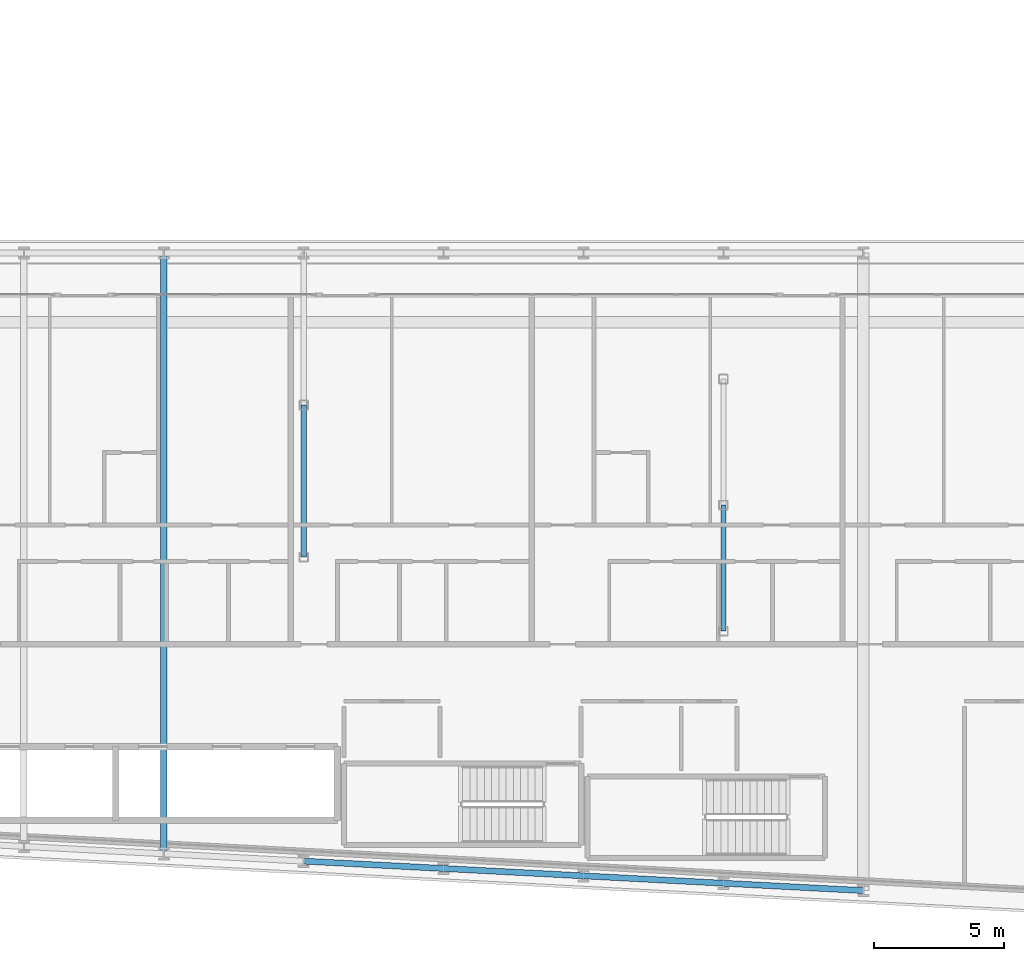
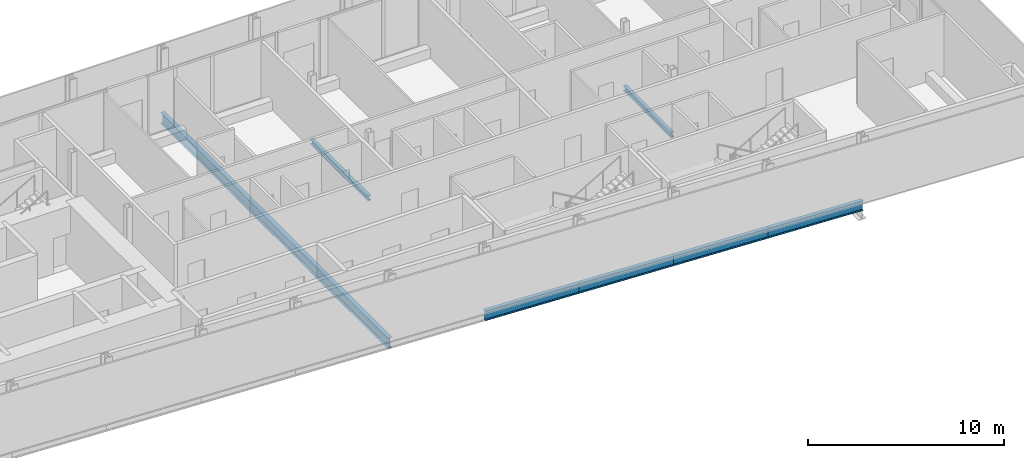
# One storey, part 5 of 27: 7 beams.
"""IFC4 building model written with IfcOpenShell, lengths in metres."""

from ifc_helpers import new_model, si_unit, direction, frame, origin, origin_2d, place, context, subcontext, project, spatial, i_section, extrude, material, material_profile, profile_set, type_object, element, save


model = new_model("IFC4")

# Units and contexts
model_context = context("Model", 3, precision=1e-05, world=origin(), true_north=direction((0.0, 1.0)))
body_context = subcontext(model_context, "Body", "Model", "MODEL_VIEW")
ifc_project = project(units=[si_unit("LENGTHUNIT", "METRE"), si_unit("AREAUNIT", "SQUARE_METRE"), si_unit("VOLUMEUNIT", "CUBIC_METRE"), si_unit("PLANEANGLEUNIT", "RADIAN"), si_unit("MASSUNIT", "GRAM", prefix="KILO")], contexts=[model_context])

# Site, building, storey
site_placement = place(None, origin())
site = spatial("IfcSite", under=ifc_project, at=site_placement, CompositionType="ELEMENT")
building_placement = place(site_placement, origin())
building = spatial("IfcBuilding", under=site, at=building_placement, Name="Kheshtan School and Residences Tower", CompositionType="ELEMENT")
storey_placement = place(building_placement, frame((0.0, 0.0, 53.89990234375)))
storey = spatial("IfcBuildingStorey", under=building, at=storey_placement, Name="L12", CompositionType="ELEMENT", Elevation=53.89990234375)

# Beams
ifc_material = material(Name="Steel ASTM A992 Grade 50", Category="steel")
ifc_material_profile_1 = material_profile(ifc_material, i_section(OverallWidth=0.202880859375, OverallDepth=0.302978515625, WebThickness=0.007568359375, FlangeThickness=0.01318359375, FilletRadius=0.009033203125, at=origin_2d()), Name="W310x60")
ifc_profile_set_1 = profile_set([ifc_material_profile_1], Name="Steel ASTM A992 Grade 50")
beam_type_1 = type_object("IfcBeamType", Name="Beam FB1 W310x60 ASTM A992 Grade 50", PredefinedType="BEAM", material=ifc_profile_set_1)
beam_1_placement = place(storey_placement, frame((85.39990234375, 31.0048828125, -0.301513671875), z_axis=(0.0, 1.0, 0.0), x_axis=(-1.0, 0.0, 0.0)))
element("IfcBeam", 1, at=beam_1_placement, inside=storey, type_object=beam_type_1, Name="Floor beam IC", PredefinedType="BEAM", context=body_context, shape_type="SweptSolid", body=[
    extrude(i_section(OverallWidth=0.202880859375, OverallDepth=0.302978515625, WebThickness=0.007568359375, FlangeThickness=0.01318359375, FilletRadius=0.009033203125, at=origin_2d()), origin(), (0.0, 0.0, 1.0), 4.865234375),
])
beam_2_placement = place(storey_placement, frame((69.199951171875, 33.863037109375, -0.301513671875), z_axis=(0.0, 1.0, 0.0), x_axis=(-1.0, 0.0, 0.0)))
element("IfcBeam", 2, at=beam_2_placement, inside=storey, type_object=beam_type_1, Name="Floor beam IC", PredefinedType="BEAM", context=body_context, shape_type="SweptSolid", body=[
    extrude(i_section(OverallWidth=0.202880859375, OverallDepth=0.302978515625, WebThickness=0.007568359375, FlangeThickness=0.01318359375, FilletRadius=0.009033203125, at=origin_2d()), origin(), (0.0, 0.0, 1.0), 5.868896484375),
])
ifc_material_profile_2 = material_profile(ifc_material, i_section(OverallWidth=0.2529296875, OverallDepth=0.677978515625, WebThickness=0.01171875, FlangeThickness=0.016357421875, FilletRadius=0.0146484375, at=origin_2d()), Name="W690x125")
ifc_profile_set_2 = profile_set([ifc_material_profile_2], Name="Steel ASTM A992 Grade 50")
beam_type_2 = type_object("IfcBeamType", Name="Beam FB6 W690x125 ASTM A992 Grade 50", PredefinedType="BEAM", material=ifc_profile_set_2)
beam_3_placement = place(storey_placement, frame((63.800048828125, 22.410888671875, -0.489013671875), z_axis=(0.0, 1.0, 0.0), x_axis=(-1.0, 0.0, 0.0)))
element("IfcBeam", 3, at=beam_3_placement, inside=storey, type_object=beam_type_2, Name="Floor beam C016", PredefinedType="BEAM", context=body_context, shape_type="SweptSolid", body=[
    extrude(i_section(OverallWidth=0.2529296875, OverallDepth=0.677978515625, WebThickness=0.01171875, FlangeThickness=0.016357421875, FilletRadius=0.0146484375, at=origin_2d()), origin(), (0.0, 0.0, 1.0), 23.189208984375),
])
ifc_material_profile_3 = material_profile(ifc_material, i_section(OverallWidth=0.22998046875, OverallDepth=0.616943359375, WebThickness=0.01318359375, FlangeThickness=0.022216796875, FilletRadius=0.0185546875, at=origin_2d()), Name="W610x140")
ifc_profile_set_3 = profile_set([ifc_material_profile_3], Name="Steel ASTM A992 Grade 50")
beam_type_3 = type_object("IfcBeamType", Name="Beam SP1 W610x140 ASTM A992 Grade 50", PredefinedType="BEAM", material=ifc_profile_set_3)
beam_4_placement = place(storey_placement, frame((90.800048828125, 20.989990234375, -0.45849609375), z_axis=(-0.998620571751, 0.05250670125, 0.0), x_axis=(-0.05250670125, -0.998620571751, 0.0)))
element("IfcBeam", 4, at=beam_4_placement, inside=storey, type_object=beam_type_3, Name="Spandrel beam C006-C008", PredefinedType="BEAM", context=body_context, shape_type="SweptSolid", body=[
    extrude(i_section(OverallWidth=0.22998046875, OverallDepth=0.616943359375, WebThickness=0.01318359375, FlangeThickness=0.022216796875, FilletRadius=0.0185546875, at=origin_2d()), origin(), (0.0, 0.0, 1.0), 5.40771484375),
])
for number, where, z_axis, x_axis, name in (
    (5, (85.39990234375, 21.27392578125, -0.45849609375), (-0.998618078766, 0.052554093665, 0.0), (-0.052554093665, -0.998618078766, 0.0), "Spandrel beam C008-C012"),
    (6, (80.0, 21.55810546875, -0.45849609375), (-0.998610961136, 0.052689166816, 0.0), (-0.052689166816, -0.998610961136, 0.0), "Spandrel beam C012-C013"),
):
    element("IfcBeam", number, at=place(storey_placement, frame(where, z_axis=z_axis, x_axis=x_axis)), inside=storey, type_object=beam_type_3, Name=name, PredefinedType="BEAM", context=body_context, shape_type="SweptSolid", body=[
        extrude(i_section(OverallWidth=0.22998046875, OverallDepth=0.616943359375, WebThickness=0.01318359375, FlangeThickness=0.022216796875, FilletRadius=0.0185546875, at=origin_2d()), origin(), (0.0, 0.0, 1.0), 5.407470703125),
    ])
beam_5_placement = place(storey_placement, frame((74.60009765625, 21.843017578125, -0.45849609375), z_axis=(-0.998620571751, 0.05250670125, 0.0), x_axis=(-0.05250670125, -0.998620571751, 0.0)))
element("IfcBeam", 7, at=beam_5_placement, inside=storey, type_object=beam_type_3, Name="Spandrel beam C013-C014", PredefinedType="BEAM", context=body_context, shape_type="SweptSolid", body=[
    extrude(i_section(OverallWidth=0.22998046875, OverallDepth=0.616943359375, WebThickness=0.01318359375, FlangeThickness=0.022216796875, FilletRadius=0.0185546875, at=origin_2d()), origin(), (0.0, 0.0, 1.0), 5.40771484375),
])

save(model, "model.ifc")
